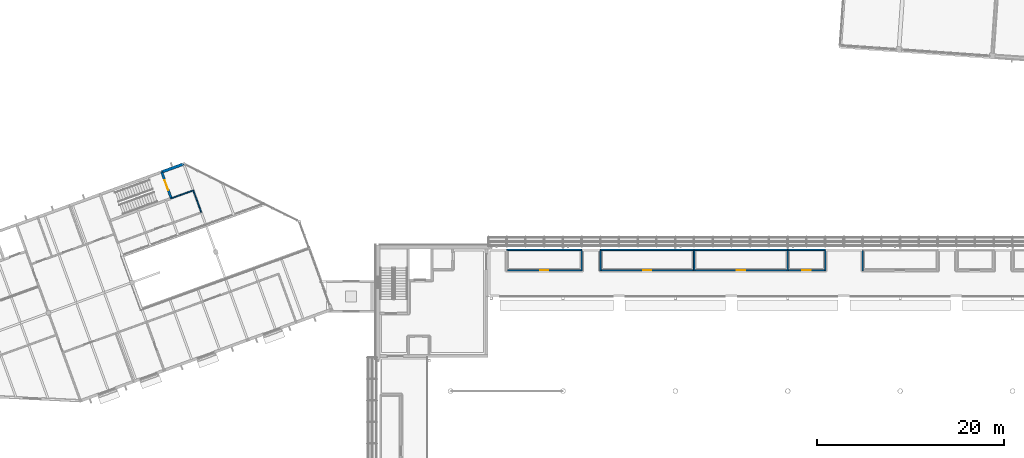
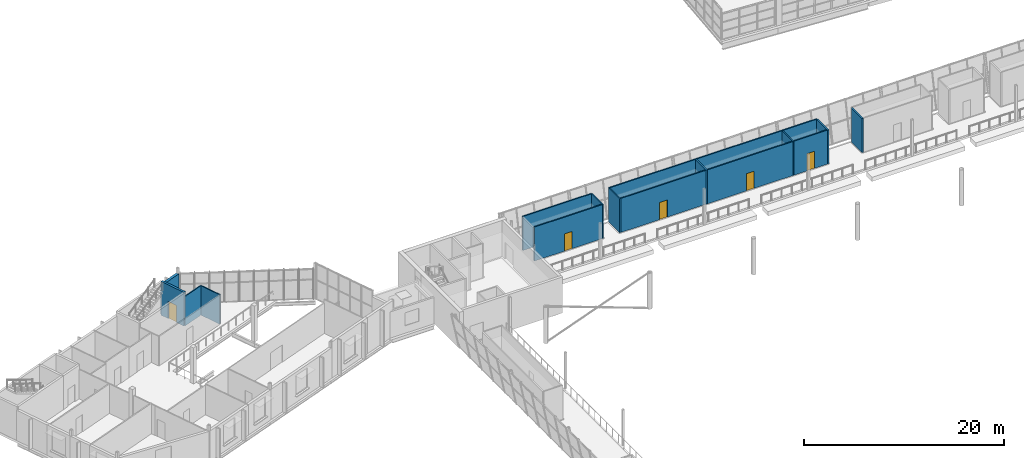
# One storey, part 72 of 115: 18 walls, 5 doors, 5 openings.
"""IFC4 building model written with IfcOpenShell, lengths in metres."""

import ifcopenshell
import ifcopenshell.guid

model = None  # the IFC model being written
_history = None  # IfcOwnerHistory: only IFC2X3 demands one
_inside = {}  # id of a spatial element -> (the spatial element, [elements in it])
_under = {}  # id of a project, library or spatial element -> (it, [spatial elements below it])
_declared = {}  # id of a project -> (the project, [libraries it declares])
_typed = {}  # id of a type object -> (the type object, [elements of that type])
_made_of = {}  # id of a material, layer set ... -> (it, [elements and type objects made of it])


def new_model(schema):
    """Start an empty IFC model of exactly this schema.

    Asked for "IFC4X3", IfcOpenShell would pick the latest addendum, in which some entities
    have other attributes; the version numbers below select the first issue.
    IFC2X3 requires an IfcOwnerHistory on every rooted entity: one is made here for all.
    """
    global model, _history
    if schema == "IFC4X3":
        model = ifcopenshell.file(schema_version=(4, 3, 0, 0))
    else:
        model = ifcopenshell.file(schema=schema)
    _inside.clear()
    _under.clear()
    _declared.clear()
    _typed.clear()
    _made_of.clear()
    _history = None
    if model.schema == "IFC2X3":
        org = make("IfcOrganization", Name="unknown")
        user = make(
            "IfcPersonAndOrganization",
            ThePerson=make("IfcPerson", FamilyName="unknown"),
            TheOrganization=org,
        )
        app = make(
            "IfcApplication",
            ApplicationDeveloper=org,
            Version="unknown",
            ApplicationFullName="unknown",
            ApplicationIdentifier="unknown",
        )
        _history = make(
            "IfcOwnerHistory",
            OwningUser=user,
            OwningApplication=app,
            ChangeAction="ADDED",
            CreationDate=0,
        )
    return model


def make(cls, **values):
    """One entity of the class cls with the attributes given. An attribute that is None is left unset."""
    return model.create_entity(
        cls, **{name: value for name, value in values.items() if value is not None}
    )


def rooted(cls, **values):
    """An entity with a GlobalId (a new one), such as an element, a storey or a relation."""
    return make(cls, GlobalId=ifcopenshell.guid.new(), OwnerHistory=_history, **values)


def si_unit(unit_type, name, prefix=None):
    """IfcSIUnit, for example si_unit("LENGTHUNIT", "METRE", prefix="MILLI")."""
    return make("IfcSIUnit", UnitType=unit_type, Prefix=prefix, Name=name)


def assignment(units):
    """IfcUnitAssignment: the units of a project."""
    return None if units is None else make("IfcUnitAssignment", Units=units)


def point(xyz):
    """IfcCartesianPoint."""
    return None if xyz is None else make("IfcCartesianPoint", Coordinates=xyz)


def direction(xyz):
    """IfcDirection."""
    return None if xyz is None else make("IfcDirection", DirectionRatios=xyz)


def frame(location, z_axis=None, x_axis=None):
    """IfcAxis2Placement3D, a coordinate frame: its origin and axes. An axis left out is left unset."""
    return make(
        "IfcAxis2Placement3D",
        Location=point(location),
        Axis=direction(z_axis),
        RefDirection=direction(x_axis),
    )


def frame_2d(location, x_axis=None):
    """IfcAxis2Placement2D, a coordinate frame in the plane: its origin and x axis."""
    return make(
        "IfcAxis2Placement2D", Location=point(location), RefDirection=direction(x_axis)
    )


def origin():
    """The frame at (0, 0, 0) with its axes left unset."""
    return frame((0.0, 0.0, 0.0))


def place(relative_to, where):
    """IfcLocalPlacement: puts the frame where relative to a parent placement (None: the world)."""
    return make(
        "IfcLocalPlacement", PlacementRelTo=relative_to, RelativePlacement=where
    )


def context(
    kind, dimensions, precision=None, world=None, true_north=None, identifier=None
):
    """IfcGeometricRepresentationContext, for example the 3D "Model" context."""
    return make(
        "IfcGeometricRepresentationContext",
        ContextIdentifier=identifier,
        ContextType=kind,
        CoordinateSpaceDimension=dimensions,
        Precision=precision,
        WorldCoordinateSystem=world,
        TrueNorth=true_north,
    )


def subcontext(parent, identifier, kind, view, scale=None):
    """IfcGeometricRepresentationSubContext, for example "Body" below "Model"."""
    return make(
        "IfcGeometricRepresentationSubContext",
        ContextIdentifier=identifier,
        ContextType=kind,
        ParentContext=parent,
        TargetScale=scale,
        TargetView=view,
    )


def project(units=None, contexts=None):
    """IfcProject with its units and contexts."""
    return rooted(
        "IfcProject",
        Name="project",
        RepresentationContexts=contexts,
        UnitsInContext=assignment(units),
    )


def spatial(cls, under=None, at=None, **own):
    """A site, building, storey or space (cls), placed at a placement, below another one or the project."""
    s = rooted(cls, ObjectPlacement=at, **own)
    if under is not None:
        _under.setdefault(under.id(), (under, []))[1].append(s)
    return s


def profile(cls, at=None, kind="AREA", **sizes):
    """A parametric profile (cls). Its sizes go by their IFC names, for example OverallWidth=200.0."""
    return make(cls, ProfileType=kind, Position=at, **sizes)


def rectangle(**sizes):
    """IfcRectangleProfileDef."""
    return profile("IfcRectangleProfileDef", **sizes)


def extrude(swept, where, along, depth):
    """IfcExtrudedAreaSolid: the profile swept, set in the frame where, extruded along a direction by depth."""
    return make(
        "IfcExtrudedAreaSolid",
        SweptArea=swept,
        Position=where,
        ExtrudedDirection=direction(along),
        Depth=depth,
    )


def shape(context_of_items, identifier, shape_type, items):
    """IfcShapeRepresentation: the items that make up one representation, for example the "Body"."""
    return make(
        "IfcShapeRepresentation",
        ContextOfItems=context_of_items,
        RepresentationIdentifier=identifier,
        RepresentationType=shape_type,
        Items=items,
    )


def material(Name=None, Category=None):
    """IfcMaterial."""
    return make("IfcMaterial", Name=Name, Category=Category)


def layer(
    of_material, thickness, ventilated=None, Name=None, Category=None, Priority=None
):
    """IfcMaterialLayer: one layer of a wall or slab, of a material (None: an air gap)."""
    return make(
        "IfcMaterialLayer",
        Material=of_material,
        LayerThickness=thickness,
        IsVentilated=ventilated,
        Name=Name,
        Category=Category,
        Priority=Priority,
    )


def layer_set(layers, Name=None):
    """IfcMaterialLayerSet."""
    return make("IfcMaterialLayerSet", MaterialLayers=layers, LayerSetName=Name)


def made_of(thing, what):
    """Note that an element or type object is made of a material, layer set ...; save() writes the relation."""
    if what is not None:
        _made_of.setdefault(what.id(), (what, []))[1].append(thing)
    return thing


def type_object(cls, material=None, **own):
    """A type object (cls), such as IfcWallType, which elements share."""
    return made_of(rooted(cls, **own), material)


def element(
    cls,
    number,
    at=None,
    inside=None,
    cuts=None,
    type_object=None,
    material=None,
    context=None,
    identifier="Body",
    shape_type=None,
    held_by="IfcProductDefinitionShape",
    body=None,
    shapes=None,
    **own,
):
    """One element of the class cls, such as IfcWall. Its Tag is "e" and its number.

    at: its placement. inside: the storey or other place that contains it. cuts: it is an
    opening in that element (IfcRelVoidsElement). A single representation is given by context,
    identifier, shape_type and body (its items); several are given by shapes. held_by: the class
    of the entity that holds the representations. save() writes the other relations.
    """
    e = rooted(cls, Tag="e%d" % number, ObjectPlacement=at, **own)
    if body is not None:
        shapes = [shape(context, identifier, shape_type, body)]
    if shapes is not None:
        e.Representation = make(held_by, Representations=shapes)
    if inside is not None:
        _inside.setdefault(inside.id(), (inside, []))[1].append(e)
    if cuts is not None:
        rooted(
            "IfcRelVoidsElement", RelatingBuildingElement=cuts, RelatedOpeningElement=e
        )
    if type_object is not None:
        _typed.setdefault(type_object.id(), (type_object, []))[1].append(e)
    return made_of(e, material)


def fill(opening, filler):
    """IfcRelFillsElement: the door or window that sits in an opening."""
    return rooted(
        "IfcRelFillsElement",
        RelatingOpeningElement=opening,
        RelatedBuildingElement=filler,
    )


def aggregate(whole, parts):
    """IfcRelAggregates: a whole, such as a stair, and the parts it consists of."""
    return rooted("IfcRelAggregates", RelatingObject=whole, RelatedObjects=parts)


def save(model, path):
    """Write the relations noted so far, then the file.

    IfcRelAggregates (storeys below a building ...), IfcRelContainedInSpatialStructure (elements
    in a storey), IfcRelDefinesByType, IfcRelAssociatesMaterial and IfcRelDeclares: one each for
    every whole, place, type object, material and project.
    """
    for whole, parts in _under.values():
        aggregate(whole, parts)
    for where, things in _inside.values():
        rooted(
            "IfcRelContainedInSpatialStructure",
            RelatedElements=things,
            RelatingStructure=where,
        )
    for kind, things in _typed.values():
        rooted("IfcRelDefinesByType", RelatedObjects=things, RelatingType=kind)
    for what, things in _made_of.values():
        rooted("IfcRelAssociatesMaterial", RelatedObjects=things, RelatingMaterial=what)
    for by, libraries in _declared.values():
        rooted("IfcRelDeclares", RelatingContext=by, RelatedDefinitions=libraries)
    model.write(path)


model = new_model("IFC4")

# Units and contexts
model_context = context("Model", 3, precision=1e-05, world=origin(), true_north=direction((0.0, 1.0)))
body_context = subcontext(model_context, "Body", "Model", "MODEL_VIEW")
ifc_project = project(units=[si_unit("LENGTHUNIT", "METRE"), si_unit("AREAUNIT", "SQUARE_METRE"), si_unit("VOLUMEUNIT", "CUBIC_METRE"), si_unit("PLANEANGLEUNIT", "RADIAN"), si_unit("MASSUNIT", "GRAM", prefix="KILO")], contexts=[model_context])

# Site, building, storey
site_placement = place(None, origin())
site = spatial("IfcSite", under=ifc_project, at=site_placement, CompositionType="ELEMENT")
building_placement = place(site_placement, origin())
building = spatial("IfcBuilding", under=site, at=building_placement, Name="Windward Yard Aquatics Centre", CompositionType="ELEMENT")
storey_placement = place(building_placement, frame((0.0, 0.0, 5.0)))
storey = spatial("IfcBuildingStorey", under=building, at=storey_placement, Name="L01", CompositionType="ELEMENT", Elevation=5.0)

# Wall, opening, door
ifc_material_1 = material(Name="Concrete C40/50", Category="concrete")
ifc_layer_1 = layer(ifc_material_1, 0.25)
ifc_layer_set_1 = layer_set([ifc_layer_1], Name="F core wall 250 Concrete C40/50")
wall_type_1 = type_object("IfcWallType", Name="F core wall 250 Concrete C40/50", PredefinedType="SOLIDWALL", material=ifc_layer_set_1)
wall_1_placement = place(storey_placement, frame((30.18359375, 100.971923828125, 0.0), z_axis=(0.0, 0.0, 1.0), x_axis=(-0.341965219194, 0.939712609717, 0.0)))
wall_1 = element("IfcWall", 1, at=wall_1_placement, inside=storey, type_object=wall_type_1, Name="F.WL.L01.C07", PredefinedType="SOLIDWALL", context=body_context, shape_type="SweptSolid", body=[
    extrude(rectangle(XDim=3.0, YDim=0.25, at=frame_2d((1.5, 0.0))), origin(), (0.0, 0.0, 1.0), 4.1201171875),
])
opening_1_placement = place(wall_1_placement, frame((0.949951171875, 0.0, 0.0)))
opening_1 = element("IfcOpeningElement", 2, at=opening_1_placement, cuts=wall_1, Name="Opening F1012", PredefinedType="OPENING", context=body_context, shape_type="SweptSolid", body=[
    extrude(rectangle(XDim=1.10009765625, YDim=2.10009765625, at=frame_2d((0.550048828125, 1.050048828125))), frame((0.0, 0.135009765625, 0.0), z_axis=(0.0, -1.0, 0.0), x_axis=(1.0, 0.0, 0.0)), (0.0, 0.0, 1.0), 0.27001953125),
])
ifc_material_2 = material(Name="Steel, painted", Category="steel")
door_type_1 = type_object("IfcDoorType", Name="F fire door 1100x2100 steel", OperationType="SINGLE_SWING_LEFT", PredefinedType="DOOR", material=ifc_material_2)
door_1_placement = place(opening_1_placement, origin())
door_1 = element("IfcDoor", 3, at=door_1_placement, inside=storey, type_object=door_type_1, Name="Stair S2 door F1012", OperationType="SINGLE_SWING_LEFT", OverallHeight=2.10009765625, OverallWidth=1.10009765625, PredefinedType="DOOR", context=body_context, shape_type="SweptSolid", body=[
    extrude(rectangle(XDim=1.10009765625, YDim=2.10009765625, at=frame_2d((0.550048828125, 1.050048828125))), frame((0.0, 0.02490234375, 0.0), z_axis=(0.0, -1.0, 0.0), x_axis=(1.0, 0.0, 0.0)), (0.0, 0.0, 1.0), 0.050048828125),
])
fill(opening_1, door_1)

# Walls
ifc_material_3 = material(Name="Gypsum board on steel studs", Category="steel")
ifc_layer_2 = layer(ifc_material_3, 0.125)
ifc_layer_set_2 = layer_set([ifc_layer_2], Name="F partition 125 gypsum board")
wall_type_2 = type_object("IfcWallType", Name="F partition 125 gypsum board", PredefinedType="PARTITIONING", material=ifc_layer_set_2)
wall_2_placement = place(storey_placement, frame((30.18359375, 100.971923828125, 0.0), z_axis=(0.0, 0.0, 1.0), x_axis=(0.939707859211, 0.341978273195, 0.0)))
element("IfcWall", 4, at=wall_2_placement, inside=storey, type_object=wall_type_2, Name="F.WL.L01.P019", PredefinedType="PARTITIONING", context=body_context, shape_type="SweptSolid", body=[
    extrude(rectangle(XDim=2.5, YDim=0.125, at=frame_2d((1.25, 0.0))), origin(), (0.0, 0.0, 1.0), 3.5869140625),
])
wall_3_placement = place(storey_placement, frame((33.387939453125, 99.477783203125, 0.0), z_axis=(0.0, 0.0, 1.0), x_axis=(-0.342009657388, 0.939696437289, 0.0)))
element("IfcWall", 5, at=wall_3_placement, inside=storey, type_object=wall_type_2, Name="F.WL.L01.P020", PredefinedType="PARTITIONING", context=body_context, shape_type="SweptSolid", body=[
    extrude(rectangle(XDim=2.499755859375, YDim=0.125, at=frame_2d((1.25, 0.0))), origin(), (0.0, 0.0, 1.0), 3.5869140625),
])
ifc_material_4 = material(Name="Natural stone cladding", Category="masonry")
ifc_layer_3 = layer(ifc_material_4, 0.04, Name="Cladding")
ifc_material_5 = material(Name="Ventilated air cavity")
ifc_layer_4 = layer(ifc_material_5, 0.04, ventilated=True, Name="Ventilated cavity")
ifc_material_6 = material(Name="Mineral wool insulation")
ifc_layer_5 = layer(ifc_material_6, 0.06, Name="Insulation")
ifc_layer_6 = layer(ifc_material_1, 0.16, Name="Structure")
ifc_layer_set_3 = layer_set([ifc_layer_3, ifc_layer_4, ifc_layer_5, ifc_layer_6], Name="F stone-faced infill wall 300 Concrete C40/50")
wall_type_3 = type_object("IfcWallType", Name="F stone-faced infill wall 300 Concrete C40/50", PredefinedType="ELEMENTEDWALL", material=ifc_layer_set_3)
wall_4_placement = place(storey_placement, frame((31.5068359375, 104.64599609375, 0.0), z_axis=(0.0, 0.0, 1.0), x_axis=(-0.939696437289, -0.342009657388, 0.0)))
element("IfcWall", 6, at=wall_4_placement, inside=storey, type_object=wall_type_3, Name="F.WL.L01.E07", PredefinedType="ELEMENTEDWALL", context=body_context, shape_type="SweptSolid", body=[
    extrude(rectangle(XDim=2.499755859375, YDim=0.300048828125, at=frame_2d((1.25, 0.0))), origin(), (0.0, 0.0, 1.0), 3.702880859375),
])

# Wall, opening, door
ifc_material_7 = material(Name="Blockwork 150 mm", Category="masonry")
ifc_layer_7 = layer(ifc_material_7, 0.14990234375)
ifc_layer_set_4 = layer_set([ifc_layer_7], Name="H Partition Blockwork 150")
wall_type_4 = type_object("IfcWallType", Name="H Partition Blockwork 150", PredefinedType="PARTITIONING", material=ifc_layer_set_4)
wall_5_placement = place(storey_placement, frame((66.074951171875, 93.300048828125, 0.0), z_axis=(0.0, 0.0, 1.0), x_axis=(1.0, 0.0, 0.0)))
wall_5 = element("IfcWall", 7, at=wall_5_placement, inside=storey, type_object=wall_type_4, Name="L01 partition Ticket Office", PredefinedType="PARTITIONING", context=body_context, shape_type="SweptSolid", body=[
    extrude(rectangle(XDim=7.85009765625, YDim=0.14990234375, at=frame_2d((3.925048828125, 0.0))), origin(), (0.0, 0.0, 1.0), 4.14990234375),
])
opening_2_placement = place(wall_5_placement, frame((3.47509765625, 0.0, 0.0)))
opening_2 = element("IfcOpeningElement", 8, at=opening_2_placement, cuts=wall_5, Name="Opening H1031", PredefinedType="OPENING", context=body_context, shape_type="SweptSolid", body=[
    extrude(rectangle(XDim=0.89990234375, YDim=2.10009765625, at=frame_2d((0.449951171875, 1.050048828125))), frame((0.0, 0.0849609375, 0.0), z_axis=(0.0, -1.0, 0.0), x_axis=(1.0, 0.0, 0.0)), (0.0, 0.0, 1.0), 0.169921875),
])
ifc_material_8 = material(Name="Timber door leaf", Category="wood")
door_type_2 = type_object("IfcDoorType", Name="H Door Single 900 x 2100 Not rated", OperationType="NOTDEFINED", PredefinedType="DOOR", material=ifc_material_8)
door_2_placement = place(opening_2_placement, origin())
door_2 = element("IfcDoor", 9, at=door_2_placement, inside=storey, type_object=door_type_2, Name="L01 Ticket Office door", OperationType="SINGLE_SWING_LEFT", OverallHeight=2.10009765625, OverallWidth=0.89990234375, PredefinedType="DOOR", context=body_context, shape_type="SweptSolid", body=[
    extrude(rectangle(XDim=0.89990234375, YDim=2.10009765625, at=frame_2d((0.449951171875, 1.050048828125))), frame((0.0, 0.02490234375, 0.0), z_axis=(0.0, -1.0, 0.0), x_axis=(1.0, 0.0, 0.0)), (0.0, 0.0, 1.0), 0.050048828125),
])
fill(opening_2, door_2)

# Walls
wall_6_placement = place(storey_placement, frame((74.0, 95.39990234375, 0.0), z_axis=(0.0, 0.0, 1.0), x_axis=(0.0, -1.0, 0.0)))
element("IfcWall", 10, at=wall_6_placement, inside=storey, type_object=wall_type_4, Name="L01 partition Ticket Office", PredefinedType="PARTITIONING", context=body_context, shape_type="SweptSolid", body=[
    extrude(rectangle(XDim=2.1748046875, YDim=0.14990234375, at=frame_2d((1.08740234375, 0.0))), origin(), (0.0, 0.0, 1.0), 4.14990234375),
])
wall_7_placement = place(storey_placement, frame((66.0, 95.47509765625, 0.0), z_axis=(0.0, 0.0, 1.0), x_axis=(1.0, 0.0, 0.0)))
element("IfcWall", 11, at=wall_7_placement, inside=storey, type_object=wall_type_4, Name="L01 wall Ticket Office", PredefinedType="PARTITIONING", context=body_context, shape_type="SweptSolid", body=[
    extrude(rectangle(XDim=8.0, YDim=0.14990234375, at=frame_2d((4.0, 0.0))), origin(), (0.0, 0.0, 1.0), 4.14990234375),
])

# Wall, opening, door
wall_8_placement = place(storey_placement, frame((76.074951171875, 93.300048828125, 0.0), z_axis=(0.0, 0.0, 1.0), x_axis=(1.0, 0.0, 0.0)))
wall_8 = element("IfcWall", 12, at=wall_8_placement, inside=storey, type_object=wall_type_4, Name="L01 partition Spectator WC Women", PredefinedType="PARTITIONING", context=body_context, shape_type="SweptSolid", body=[
    extrude(rectangle(XDim=9.85009765625, YDim=0.14990234375, at=frame_2d((4.925048828125, 0.0))), origin(), (0.0, 0.0, 1.0), 4.14990234375),
])
opening_3_placement = place(wall_8_placement, frame((4.47509765625, 0.0, 0.0)))
opening_3 = element("IfcOpeningElement", 13, at=opening_3_placement, cuts=wall_8, Name="Opening H1032", PredefinedType="OPENING", context=body_context, shape_type="SweptSolid", body=[
    extrude(rectangle(XDim=0.89990234375, YDim=2.10009765625, at=frame_2d((0.449951171875, 1.050048828125))), frame((0.0, 0.0849609375, 0.0), z_axis=(0.0, -1.0, 0.0), x_axis=(1.0, 0.0, 0.0)), (0.0, 0.0, 1.0), 0.169921875),
])
door_3_placement = place(opening_3_placement, origin())
door_3 = element("IfcDoor", 14, at=door_3_placement, inside=storey, type_object=door_type_2, Name="L01 Spectator WC Women door", OperationType="SINGLE_SWING_RIGHT", OverallHeight=2.10009765625, OverallWidth=0.89990234375, PredefinedType="DOOR", context=body_context, shape_type="SweptSolid", body=[
    extrude(rectangle(XDim=0.89990234375, YDim=2.10009765625, at=frame_2d((0.449951171875, 1.050048828125))), frame((0.0, 0.02490234375, 0.0), z_axis=(0.0, -1.0, 0.0), x_axis=(1.0, 0.0, 0.0)), (0.0, 0.0, 1.0), 0.050048828125),
])
fill(opening_3, door_3)

# Walls
for number, where, z_axis, x_axis, name in (
    (15, (76.0, 95.39990234375, 0.0), (0.0, 0.0, 1.0), (0.0, -1.0, 0.0), "L01 partition Spectator WC Women"),
    (16, (86.0, 95.39990234375, 0.0), (0.0, 0.0, 1.0), (0.0, -1.0, 0.0), "L01 partition Spectator WC Women"),
):
    element("IfcWall", number, at=place(storey_placement, frame(where, z_axis=z_axis, x_axis=x_axis)), inside=storey, type_object=wall_type_4, Name=name, PredefinedType="PARTITIONING", context=body_context, shape_type="SweptSolid", body=[
        extrude(rectangle(XDim=2.1748046875, YDim=0.14990234375, at=frame_2d((1.08740234375, 0.0))), origin(), (0.0, 0.0, 1.0), 4.14990234375),
    ])
wall_9_placement = place(storey_placement, frame((76.0, 95.47509765625, 0.0), z_axis=(0.0, 0.0, 1.0), x_axis=(1.0, 0.0, 0.0)))
element("IfcWall", 17, at=wall_9_placement, inside=storey, type_object=wall_type_4, Name="L01 wall Spectator WC Women", PredefinedType="PARTITIONING", context=body_context, shape_type="SweptSolid", body=[
    extrude(rectangle(XDim=10.0, YDim=0.14990234375, at=frame_2d((5.0, 0.0))), origin(), (0.0, 0.0, 1.0), 4.14990234375),
])

# Wall, opening, door
wall_10_placement = place(storey_placement, frame((86.074951171875, 93.300048828125, 0.0), z_axis=(0.0, 0.0, 1.0), x_axis=(1.0, 0.0, 0.0)))
wall_10 = element("IfcWall", 18, at=wall_10_placement, inside=storey, type_object=wall_type_4, Name="L01 partition Spectator WC Men", PredefinedType="PARTITIONING", context=body_context, shape_type="SweptSolid", body=[
    extrude(rectangle(XDim=9.85009765625, YDim=0.14990234375, at=frame_2d((4.925048828125, 0.0))), origin(), (0.0, 0.0, 1.0), 4.14990234375),
])
opening_4_placement = place(wall_10_placement, frame((4.47509765625, 0.0, 0.0)))
opening_4 = element("IfcOpeningElement", 19, at=opening_4_placement, cuts=wall_10, Name="Opening H1033", PredefinedType="OPENING", context=body_context, shape_type="SweptSolid", body=[
    extrude(rectangle(XDim=0.89990234375, YDim=2.10009765625, at=frame_2d((0.449951171875, 1.050048828125))), frame((0.0, 0.0849609375, 0.0), z_axis=(0.0, -1.0, 0.0), x_axis=(1.0, 0.0, 0.0)), (0.0, 0.0, 1.0), 0.169921875),
])
door_4_placement = place(opening_4_placement, origin())
door_4 = element("IfcDoor", 20, at=door_4_placement, inside=storey, type_object=door_type_2, Name="L01 Spectator WC Men door", OperationType="SINGLE_SWING_LEFT", OverallHeight=2.10009765625, OverallWidth=0.89990234375, PredefinedType="DOOR", context=body_context, shape_type="SweptSolid", body=[
    extrude(rectangle(XDim=0.89990234375, YDim=2.10009765625, at=frame_2d((0.449951171875, 1.050048828125))), frame((0.0, 0.02490234375, 0.0), z_axis=(0.0, -1.0, 0.0), x_axis=(1.0, 0.0, 0.0)), (0.0, 0.0, 1.0), 0.050048828125),
])
fill(opening_4, door_4)

# Walls
wall_11_placement = place(storey_placement, frame((96.0, 95.39990234375, 0.0), z_axis=(0.0, 0.0, 1.0), x_axis=(0.0, -1.0, 0.0)))
element("IfcWall", 21, at=wall_11_placement, inside=storey, type_object=wall_type_4, Name="L01 partition Spectator WC Men", PredefinedType="PARTITIONING", context=body_context, shape_type="SweptSolid", body=[
    extrude(rectangle(XDim=2.1748046875, YDim=0.14990234375, at=frame_2d((1.08740234375, 0.0))), origin(), (0.0, 0.0, 1.0), 4.14990234375),
])
wall_12_placement = place(storey_placement, frame((86.0, 95.47509765625, 0.0), z_axis=(0.0, 0.0, 1.0), x_axis=(1.0, 0.0, 0.0)))
element("IfcWall", 22, at=wall_12_placement, inside=storey, type_object=wall_type_4, Name="L01 wall Spectator WC Men", PredefinedType="PARTITIONING", context=body_context, shape_type="SweptSolid", body=[
    extrude(rectangle(XDim=10.0, YDim=0.14990234375, at=frame_2d((5.0, 0.0))), origin(), (0.0, 0.0, 1.0), 4.14990234375),
])

# Wall, opening, door
wall_13_placement = place(storey_placement, frame((96.074951171875, 93.300048828125, 0.0), z_axis=(0.0, 0.0, 1.0), x_axis=(1.0, 0.0, 0.0)))
wall_13 = element("IfcWall", 23, at=wall_13_placement, inside=storey, type_object=wall_type_4, Name="L01 partition Accessible WC", PredefinedType="PARTITIONING", context=body_context, shape_type="SweptSolid", body=[
    extrude(rectangle(XDim=3.85009765625, YDim=0.14990234375, at=frame_2d((1.925048828125, 0.0))), origin(), (0.0, 0.0, 1.0), 4.14990234375),
])
opening_5_placement = place(wall_13_placement, frame((1.47509765625, 0.0, 0.0)))
opening_5 = element("IfcOpeningElement", 24, at=opening_5_placement, cuts=wall_13, Name="Opening H1034", PredefinedType="OPENING", context=body_context, shape_type="SweptSolid", body=[
    extrude(rectangle(XDim=0.89990234375, YDim=2.10009765625, at=frame_2d((0.449951171875, 1.050048828125))), frame((0.0, 0.0849609375, 0.0), z_axis=(0.0, -1.0, 0.0), x_axis=(1.0, 0.0, 0.0)), (0.0, 0.0, 1.0), 0.169921875),
])
door_5_placement = place(opening_5_placement, origin())
door_5 = element("IfcDoor", 25, at=door_5_placement, inside=storey, type_object=door_type_2, Name="L01 Accessible WC door", OperationType="SINGLE_SWING_RIGHT", OverallHeight=2.10009765625, OverallWidth=0.89990234375, PredefinedType="DOOR", context=body_context, shape_type="SweptSolid", body=[
    extrude(rectangle(XDim=0.89990234375, YDim=2.10009765625, at=frame_2d((0.449951171875, 1.050048828125))), frame((0.0, 0.02490234375, 0.0), z_axis=(0.0, -1.0, 0.0), x_axis=(1.0, 0.0, 0.0)), (0.0, 0.0, 1.0), 0.050048828125),
])
fill(opening_5, door_5)

# Walls
wall_14_placement = place(storey_placement, frame((100.0, 95.39990234375, 0.0), z_axis=(0.0, 0.0, 1.0), x_axis=(0.0, -1.0, 0.0)))
element("IfcWall", 26, at=wall_14_placement, inside=storey, type_object=wall_type_4, Name="L01 partition Accessible WC", PredefinedType="PARTITIONING", context=body_context, shape_type="SweptSolid", body=[
    extrude(rectangle(XDim=2.1748046875, YDim=0.14990234375, at=frame_2d((1.08740234375, 0.0))), origin(), (0.0, 0.0, 1.0), 4.14990234375),
])
wall_15_placement = place(storey_placement, frame((96.0, 95.47509765625, 0.0), z_axis=(0.0, 0.0, 1.0), x_axis=(1.0, 0.0, 0.0)))
element("IfcWall", 27, at=wall_15_placement, inside=storey, type_object=wall_type_4, Name="L01 wall Accessible WC", PredefinedType="PARTITIONING", context=body_context, shape_type="SweptSolid", body=[
    extrude(rectangle(XDim=4.0, YDim=0.14990234375, at=frame_2d((2.0, 0.0))), origin(), (0.0, 0.0, 1.0), 4.14990234375),
])
wall_16_placement = place(storey_placement, frame((104.0, 95.39990234375, 0.0), z_axis=(0.0, 0.0, 1.0), x_axis=(0.0, -1.0, 0.0)))
element("IfcWall", 28, at=wall_16_placement, inside=storey, type_object=wall_type_4, Name="L01 partition Kiosk", PredefinedType="PARTITIONING", context=body_context, shape_type="SweptSolid", body=[
    extrude(rectangle(XDim=2.1748046875, YDim=0.14990234375, at=frame_2d((1.08740234375, 0.0))), origin(), (0.0, 0.0, 1.0), 4.14990234375),
])

save(model, "model.ifc")
